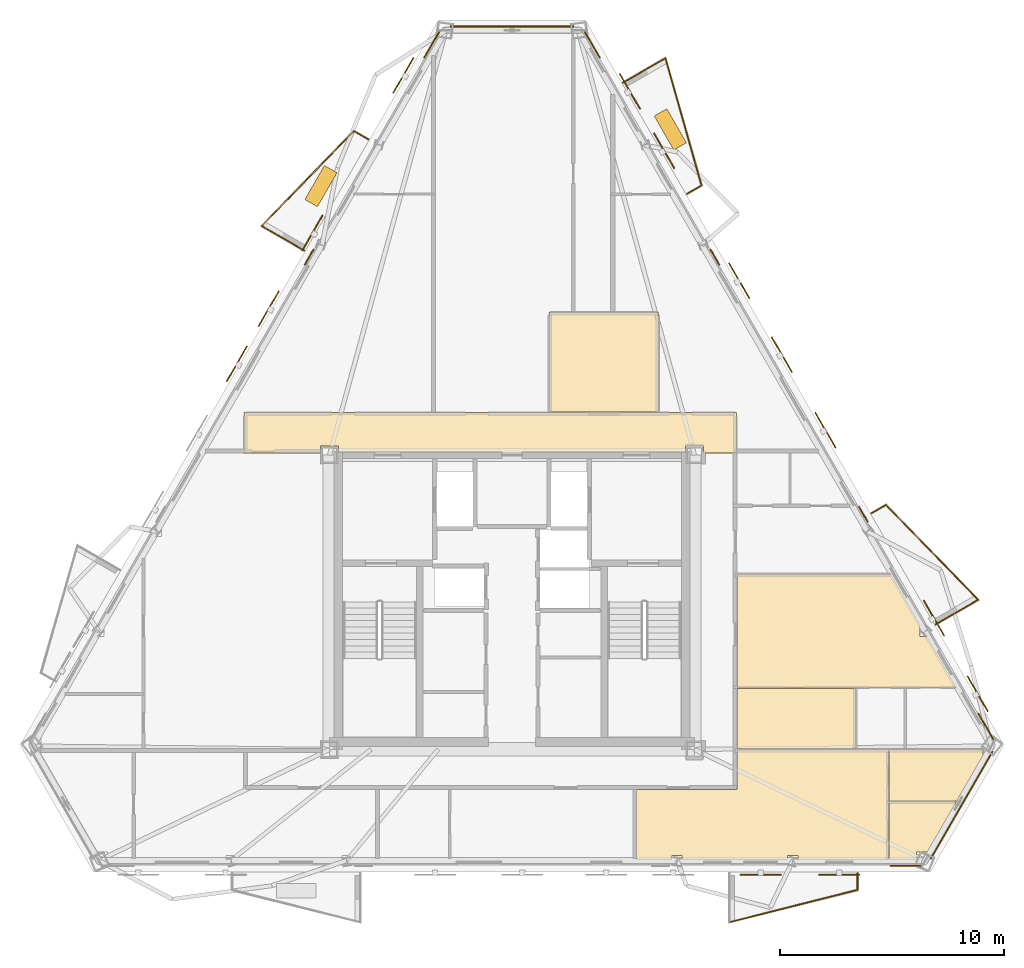
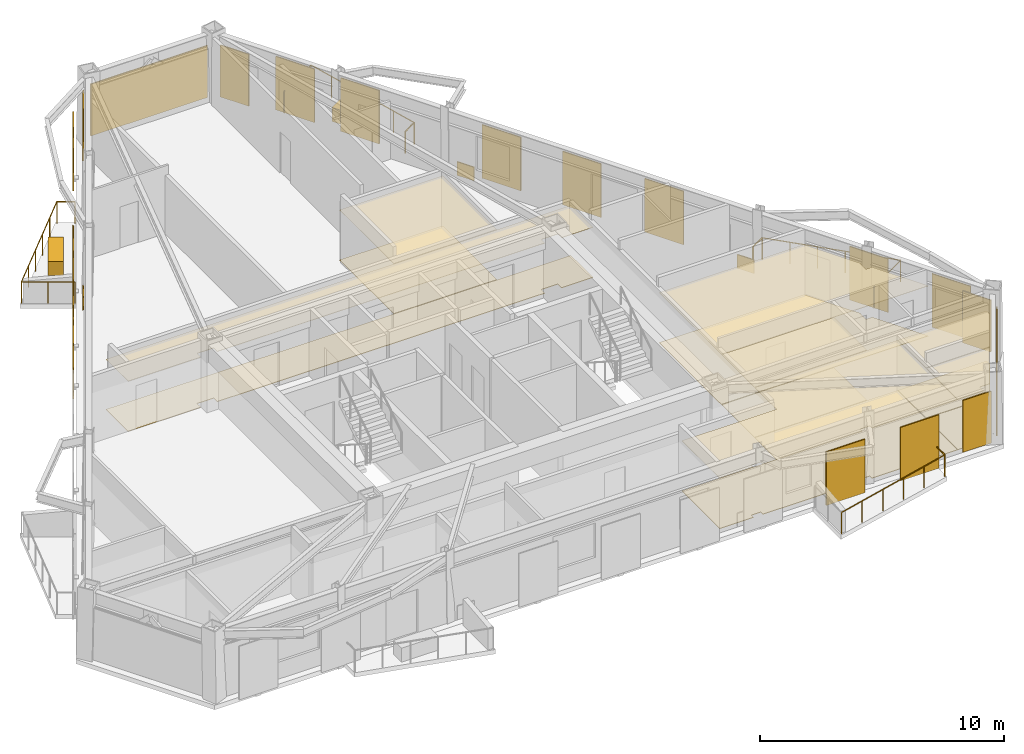
# One storey, part 9 of 9: 25 coverings, 13 shading devices, 11 railings.
"""IFC4 building model written with IfcOpenShell, lengths in metres."""

from ifc_helpers import new_model, si_unit, direction, frame, origin, origin_2d, place, context, subcontext, project, spatial, polyline, rectangle, circle, outline, extrude, material, layer, layer_set, type_object, element, save


model = new_model("IFC4")

# Units and contexts
model_context = context("Model", 3, precision=1e-05, world=origin(), true_north=direction((0.0, 1.0)))
body_context = subcontext(model_context, "Body", "Model", "MODEL_VIEW")
ifc_project = project(units=[si_unit("LENGTHUNIT", "METRE"), si_unit("AREAUNIT", "SQUARE_METRE"), si_unit("VOLUMEUNIT", "CUBIC_METRE"), si_unit("PLANEANGLEUNIT", "RADIAN"), si_unit("MASSUNIT", "GRAM", prefix="KILO")], contexts=[model_context])

# Site, building, storey
site_placement = place(None, origin())
site = spatial("IfcSite", under=ifc_project, at=site_placement, CompositionType="ELEMENT")
building_placement = place(site_placement, origin())
building = spatial("IfcBuilding", under=site, at=building_placement, Name="Oramaril Tower", CompositionType="ELEMENT")
storey_placement = place(building_placement, frame((0.0, 0.0, 234.300048828125)))
storey = spatial("IfcBuildingStorey", under=building, at=storey_placement, Name="L62", CompositionType="ELEMENT", Elevation=234.300048828125)

# Coverings
ifc_material_1 = material(Name="Mineral Fibre Acoustic Ceiling")
ifc_layer_1 = layer(ifc_material_1, 0.02001953125)
ifc_layer_set_1 = layer_set([ifc_layer_1], Name="CVT-CEIL")
covering_type_1 = type_object("IfcCoveringType", Name="CVT-CEIL", PredefinedType="CEILING", material=ifc_layer_set_1)
covering_1_placement = place(storey_placement, frame((0.0, 0.0, 2.511962890625)))
element("IfcCovering", 1, at=covering_1_placement, inside=storey, type_object=covering_type_1, Name="L62 Acoustic Suspended Ceiling 2", PredefinedType="CEILING", context=body_context, shape_type="SweptSolid", body=[
    extrude(outline(polyline([(47.530029296875, 24.239990234375), (46.044921875, 24.239990234375), (46.044921875, 24.544921875), (45.2548828125, 24.544921875), (45.2548828125, 24.25), (29.7451171875, 24.25), (29.7451171875, 24.544921875), (28.955078125, 24.544921875), (28.955078125, 24.239990234375), (25.52001953125, 24.239990234375), (25.52001953125, 26.050048828125), (47.530029296875, 26.050048828125), (47.530029296875, 24.239990234375)])), origin(), (0.0, 0.0, 1.0), 0.02001953125),
])
covering_2_placement = place(storey_placement, frame((0.0, 0.0, 2.511962890625)))
element("IfcCovering", 2, at=covering_2_placement, inside=storey, type_object=covering_type_1, Name="L62 Acoustic Suspended Ceiling 4", PredefinedType="CEILING", context=body_context, shape_type="SweptSolid", body=[
    extrude(outline(polyline([(44.0419921875, 30.511962890625), (44.0419921875, 26.070068359375), (39.157958984375, 26.070068359375), (39.157958984375, 30.511962890625), (44.0419921875, 30.511962890625)])), origin(), (0.0, 0.0, 1.0), 0.02001953125),
])
covering_3_placement = place(storey_placement, frame((0.0, 0.0, 2.511962890625)))
element("IfcCovering", 3, at=covering_3_placement, inside=storey, type_object=covering_type_1, Name="L62 Acoustic Suspended Ceiling 9", PredefinedType="CEILING", context=body_context, shape_type="SweptSolid", body=[
    extrude(outline(polyline([(54.31298828125, 10.991943359375), (54.31298828125, 6.08642578125), (50.265380859375, 6.08642578125), (50.265380859375, 6.26171875), (49.808837890625, 6.26171875), (49.808837890625, 6.08642578125), (45.099609375, 6.08642578125), (45.099609375, 6.26171875), (44.650146484375, 6.26171875), (44.650146484375, 6.08642578125), (43.06201171875, 6.08642578125), (43.06201171875, 9.199951171875), (47.530029296875, 9.199951171875), (47.531982421875, 9.2001953125), (47.533935546875, 9.200439453125), (47.535888671875, 9.200927734375), (47.53759765625, 9.201416015625), (47.539306640625, 9.202392578125), (47.541015625, 9.203369140625), (47.542724609375, 9.20458984375), (47.544189453125, 9.205810546875), (47.54541015625, 9.207275390625), (47.546630859375, 9.208984375), (47.547607421875, 9.210693359375), (47.548583984375, 9.21240234375), (47.549072265625, 9.214111328125), (47.549560546875, 9.216064453125), (47.5498046875, 9.218017578125), (47.550048828125, 9.219970703125), (47.550048828125, 10.991943359375), (54.31298828125, 10.991943359375)])), origin(), (0.0, 0.0, 1.0), 0.02001953125),
])
covering_4_placement = place(storey_placement, frame((0.0, 0.0, 2.511962890625)))
element("IfcCovering", 4, at=covering_4_placement, inside=storey, type_object=covering_type_1, Name="L62 Acoustic Suspended Ceiling 10", PredefinedType="CEILING", context=body_context, shape_type="SweptSolid", body=[
    extrude(outline(polyline([(56.0498046875, 6.412109375), (55.553955078125, 6.412109375), (55.553955078125, 6.08642578125), (54.3330078125, 6.08642578125), (54.3330078125, 8.6787109375), (57.3583984375, 8.6787109375), (56.0498046875, 6.412109375)])), origin(), (0.0, 0.0, 1.0), 0.02001953125),
])
covering_5_placement = place(storey_placement, frame((0.0, 0.0, 2.511962890625)))
element("IfcCovering", 5, at=covering_5_placement, inside=storey, type_object=covering_type_1, Name="L62 Acoustic Suspended Ceiling 11", PredefinedType="CEILING", context=body_context, shape_type="SweptSolid", body=[
    extrude(outline(polyline([(58.529296875, 10.78076171875), (58.57177734375, 10.78076171875), (57.368408203125, 8.696044921875), (57.367919921875, 8.6962890625), (57.365966796875, 8.697265625), (57.3642578125, 8.697998046875), (57.3623046875, 8.698486328125), (57.3603515625, 8.69873046875), (57.3583984375, 8.69873046875), (54.3330078125, 8.69873046875), (54.3330078125, 10.991943359375), (58.529296875, 10.991943359375), (58.529296875, 10.78076171875)])), origin(), (0.0, 0.0, 1.0), 0.02001953125),
])
covering_6_placement = place(storey_placement, frame((0.0, 0.0, 2.511962890625)))
element("IfcCovering", 6, at=covering_6_placement, inside=storey, type_object=covering_type_1, Name="L62 Acoustic Suspended Ceiling 15", PredefinedType="CEILING", context=body_context, shape_type="SweptSolid", body=[
    extrude(outline(polyline([(55.7421875, 16.530517578125), (55.727783203125, 16.530517578125), (55.727783203125, 16.044189453125), (56.02294921875, 16.044189453125), (57.35693359375, 13.73388671875), (47.550048828125, 13.73388671875), (47.550048828125, 18.842041015625), (54.40771484375, 18.842041015625), (55.7421875, 16.530517578125)])), origin(), (0.0, 0.0, 1.0), 0.02001953125),
])
covering_7_placement = place(storey_placement, frame((0.0, 0.0, 2.511962890625)))
element("IfcCovering", 7, at=covering_7_placement, inside=storey, type_object=covering_type_1, Name="L62 Acoustic Suspended Ceiling 16", PredefinedType="CEILING", context=body_context, shape_type="SweptSolid", body=[
    extrude(outline(polyline([(52.866455078125, 11.011962890625), (47.550048828125, 11.011962890625), (47.550048828125, 11.030029296875), (47.5498046875, 11.031982421875), (47.549560546875, 11.033935546875), (47.549072265625, 11.035888671875), (47.548583984375, 11.03759765625), (47.547607421875, 11.039306640625), (47.54736328125, 11.0400390625), (47.547607421875, 11.04052734375), (47.548583984375, 11.042236328125), (47.549072265625, 11.044189453125), (47.549560546875, 11.046142578125), (47.5498046875, 11.048095703125), (47.550048828125, 11.050048828125), (47.550048828125, 13.714111328125), (52.866455078125, 13.714111328125), (52.866455078125, 11.011962890625)])), origin(), (0.0, 0.0, 1.0), 0.02001953125),
])
ifc_material_2 = material(Name="Warm Cream Limestone", Category="masonry")
ifc_layer_2 = layer(ifc_material_2, 0.050048828125)
ifc_layer_set_2 = layer_set([ifc_layer_2], Name="CVT-CLD")
covering_type_2 = type_object("IfcCoveringType", Name="CVT-CLD", PredefinedType="CLADDING", material=ifc_layer_set_2)
covering_8_placement = place(storey_placement, frame((55.073974609375, 5.810302734375, 0.0400390625), z_axis=(0.0, 0.0, 1.0), x_axis=(1.0, 0.0, 0.0)))
element("IfcCovering", 8, at=covering_8_placement, inside=storey, type_object=covering_type_2, Name="L62 Warm Cream Limestone Cladding", PredefinedType="CLADDING", context=body_context, shape_type="SweptSolid", body=[
    extrude(rectangle(XDim=1.35009765625, YDim=0.050048828125, at=origin_2d()), origin(), (0.0, 0.0, 1.0), 2.596923828125),
])
covering_9_placement = place(storey_placement, frame((57.578125, 8.5078125, 0.0400390625), z_axis=(0.0, 0.0, 1.0), x_axis=(0.5, 0.866025403784, 0.0)))
element("IfcCovering", 9, at=covering_9_placement, inside=storey, type_object=covering_type_2, Name="L62 Warm Cream Limestone Cladding", PredefinedType="CLADDING", context=body_context, shape_type="SweptSolid", body=[
    extrude(rectangle(XDim=5.535400390625, YDim=0.050048828125, at=origin_2d()), origin(), (0.0, 0.0, 1.0), 2.596923828125),
])
for number, where, z_axis, x_axis, name in (
    (10, (58.662109375, 12.025390625, 0.0400390625), (0.0, 0.0, 1.0), (-0.4999984885, 0.866026276448, 0.0), "L62 Warm Cream Limestone Cladding"),
    (11, (41.088134765625, 42.46435546875, 0.0400390625), (0.0, 0.0, 1.0), (-0.4999984885, 0.866026276448, 0.0), "L62 Warm Cream Limestone Cladding"),
):
    element("IfcCovering", number, at=place(storey_placement, frame(where, z_axis=z_axis, x_axis=x_axis)), inside=storey, type_object=covering_type_2, Name=name, PredefinedType="CLADDING", context=body_context, shape_type="SweptSolid", body=[
        extrude(rectangle(XDim=1.35009765625, YDim=0.050048828125, at=origin_2d()), origin(), (0.0, 0.0, 1.0), 2.596923828125),
    ])
for number, where, z_axis, x_axis, name in (
    (12, (53.19140625, 21.500732421875, 0.0400390625), (0.0, 0.0, 1.0), (-0.4999984885, 0.866026276448, 0.0), "L62 Warm Cream Limestone Spandrel Cladding"),
    (13, (46.558837890625, 32.98876953125, 0.0400390625), (0.0, 0.0, 1.0), (-0.4999984885, 0.866026276448, 0.0), "L62 Warm Cream Limestone Spandrel Cladding"),
):
    element("IfcCovering", number, at=place(storey_placement, frame(where, z_axis=z_axis, x_axis=x_axis)), inside=storey, type_object=covering_type_2, Name=name, PredefinedType="CLADDING", context=body_context, shape_type="SweptSolid", body=[
        extrude(rectangle(XDim=0.800048828125, YDim=0.050048828125, at=origin_2d()), origin(), (0.0, 0.0, 1.0), 0.679931640625),
    ])
covering_10_placement = place(storey_placement, frame((37.5, 43.284423828125, 0.0400390625), z_axis=(0.0, 0.0, 1.0), x_axis=(-1.0, 0.0, 0.0)))
element("IfcCovering", 14, at=covering_10_placement, inside=storey, type_object=covering_type_2, Name="L62 Warm Cream Limestone Cladding", PredefinedType="CLADDING", context=body_context, shape_type="SweptSolid", body=[
    extrude(rectangle(XDim=5.535400390625, YDim=0.050048828125, at=origin_2d()), origin(), (0.0, 0.0, 1.0), 2.596923828125),
])
covering_11_placement = place(storey_placement, frame((33.911865234375, 42.46435546875, 0.0400390625), z_axis=(0.0, 0.0, 1.0), x_axis=(-0.4999984885, -0.866026276448, 0.0)))
element("IfcCovering", 15, at=covering_11_placement, inside=storey, type_object=covering_type_2, Name="L62 Warm Cream Limestone Cladding", PredefinedType="CLADDING", context=body_context, shape_type="SweptSolid", body=[
    extrude(rectangle(XDim=1.35009765625, YDim=0.050048828125, at=origin_2d()), origin(), (0.0, 0.0, 1.0), 2.596923828125),
])
covering_12_placement = place(storey_placement, frame((28.441162109375, 32.98876953125, 0.0400390625), z_axis=(0.0, 0.0, 1.0), x_axis=(-0.4999984885, -0.866026276448, 0.0)))
element("IfcCovering", 16, at=covering_12_placement, inside=storey, type_object=covering_type_2, Name="L62 Warm Cream Limestone Spandrel Cladding", PredefinedType="CLADDING", context=body_context, shape_type="SweptSolid", body=[
    extrude(rectangle(XDim=0.800048828125, YDim=0.050048828125, at=origin_2d()), origin(), (0.0, 0.0, 1.0), 0.679931640625),
])
for number, where, z_axis, x_axis, name in (
    (17, (44.5703125, 38.690185546875, 0.0), (0.0, 0.0, 1.0), (-0.5, 0.866025403784, 0.0), "L62 Structural Tree Planter Box L62-BAL-NE2"),
    (18, (28.96728515625, 36.156982421875, 0.0), (0.0, 0.0, 1.0), (-0.5, -0.866025403784, 0.0), "L62 Structural Tree Planter Box L62-BAL-NW1"),
):
    element("IfcCovering", number, at=place(storey_placement, frame(where, z_axis=z_axis, x_axis=x_axis)), inside=storey, type_object=covering_type_2, Name=name, PredefinedType="CLADDING", context=body_context, shape_type="SweptSolid", body=[
        extrude(rectangle(XDim=1.75, YDim=0.64990234375, at=origin_2d()), origin(), (0.0, 0.0, 1.0), 0.699951171875),
    ])
ifc_material_3 = material(Name="Honed Quartzite Stone Flooring", Category="masonry")
ifc_layer_3 = layer(ifc_material_3, 0.02490234375)
ifc_layer_set_3 = layer_set([ifc_layer_3], Name="CVT-FLR")
covering_type_3 = type_object("IfcCoveringType", Name="CVT-FLR", PredefinedType="FLOORING", material=ifc_layer_set_3)
covering_13_placement = place(storey_placement, origin())
element("IfcCovering", 19, at=covering_13_placement, inside=storey, type_object=covering_type_3, Name="L62 Honed Stone Floor Finish 2", PredefinedType="FLOORING", context=body_context, shape_type="SweptSolid", body=[
    extrude(outline(polyline([(47.530029296875, 24.239990234375), (46.044921875, 24.239990234375), (46.044921875, 24.544921875), (45.2548828125, 24.544921875), (45.2548828125, 24.25), (29.7451171875, 24.25), (29.7451171875, 24.544921875), (28.955078125, 24.544921875), (28.955078125, 24.239990234375), (25.52001953125, 24.239990234375), (25.52001953125, 26.050048828125), (47.530029296875, 26.050048828125), (47.530029296875, 24.239990234375)])), origin(), (0.0, 0.0, 1.0), 0.02490234375),
])
covering_14_placement = place(storey_placement, origin())
element("IfcCovering", 20, at=covering_14_placement, inside=storey, type_object=covering_type_3, Name="L62 Honed Stone Floor Finish 4", PredefinedType="FLOORING", context=body_context, shape_type="SweptSolid", body=[
    extrude(outline(polyline([(44.0419921875, 30.511962890625), (44.0419921875, 26.070068359375), (39.157958984375, 26.070068359375), (39.157958984375, 30.511962890625), (44.0419921875, 30.511962890625)])), origin(), (0.0, 0.0, 1.0), 0.02490234375),
])
covering_15_placement = place(storey_placement, origin())
element("IfcCovering", 21, at=covering_15_placement, inside=storey, type_object=covering_type_3, Name="L62 Honed Stone Floor Finish 9", PredefinedType="FLOORING", context=body_context, shape_type="SweptSolid", body=[
    extrude(outline(polyline([(54.31298828125, 10.991943359375), (54.31298828125, 6.08642578125), (50.265380859375, 6.08642578125), (50.265380859375, 6.26171875), (49.808837890625, 6.26171875), (49.808837890625, 6.08642578125), (45.099609375, 6.08642578125), (45.099609375, 6.26171875), (44.650146484375, 6.26171875), (44.650146484375, 6.08642578125), (43.06201171875, 6.08642578125), (43.06201171875, 9.199951171875), (47.530029296875, 9.199951171875), (47.531982421875, 9.2001953125), (47.533935546875, 9.200439453125), (47.535888671875, 9.200927734375), (47.53759765625, 9.201416015625), (47.539306640625, 9.202392578125), (47.541015625, 9.203369140625), (47.542724609375, 9.20458984375), (47.544189453125, 9.205810546875), (47.54541015625, 9.207275390625), (47.546630859375, 9.208984375), (47.547607421875, 9.210693359375), (47.548583984375, 9.21240234375), (47.549072265625, 9.214111328125), (47.549560546875, 9.216064453125), (47.5498046875, 9.218017578125), (47.550048828125, 9.219970703125), (47.550048828125, 10.991943359375), (54.31298828125, 10.991943359375)])), origin(), (0.0, 0.0, 1.0), 0.02490234375),
])
covering_16_placement = place(storey_placement, origin())
element("IfcCovering", 22, at=covering_16_placement, inside=storey, type_object=covering_type_3, Name="L62 Honed Stone Floor Finish 10", PredefinedType="FLOORING", context=body_context, shape_type="SweptSolid", body=[
    extrude(outline(polyline([(56.0498046875, 6.412109375), (55.553955078125, 6.412109375), (55.553955078125, 6.08642578125), (54.3330078125, 6.08642578125), (54.3330078125, 8.6787109375), (57.3583984375, 8.6787109375), (56.0498046875, 6.412109375)])), origin(), (0.0, 0.0, 1.0), 0.02490234375),
])
covering_17_placement = place(storey_placement, origin())
element("IfcCovering", 23, at=covering_17_placement, inside=storey, type_object=covering_type_3, Name="L62 Honed Stone Floor Finish 11", PredefinedType="FLOORING", context=body_context, shape_type="SweptSolid", body=[
    extrude(outline(polyline([(58.529296875, 10.78076171875), (58.57177734375, 10.78076171875), (57.368408203125, 8.696044921875), (57.367919921875, 8.6962890625), (57.365966796875, 8.697265625), (57.3642578125, 8.697998046875), (57.3623046875, 8.698486328125), (57.3603515625, 8.69873046875), (57.3583984375, 8.69873046875), (54.3330078125, 8.69873046875), (54.3330078125, 10.991943359375), (58.529296875, 10.991943359375), (58.529296875, 10.78076171875)])), origin(), (0.0, 0.0, 1.0), 0.02490234375),
])
covering_18_placement = place(storey_placement, origin())
element("IfcCovering", 24, at=covering_18_placement, inside=storey, type_object=covering_type_3, Name="L62 Honed Stone Floor Finish 15", PredefinedType="FLOORING", context=body_context, shape_type="SweptSolid", body=[
    extrude(outline(polyline([(55.7421875, 16.530517578125), (55.727783203125, 16.530517578125), (55.727783203125, 16.044189453125), (56.02294921875, 16.044189453125), (57.35693359375, 13.73388671875), (47.550048828125, 13.73388671875), (47.550048828125, 18.842041015625), (54.40771484375, 18.842041015625), (55.7421875, 16.530517578125)])), origin(), (0.0, 0.0, 1.0), 0.02490234375),
])
covering_19_placement = place(storey_placement, origin())
element("IfcCovering", 25, at=covering_19_placement, inside=storey, type_object=covering_type_3, Name="L62 Honed Stone Floor Finish 16", PredefinedType="FLOORING", context=body_context, shape_type="SweptSolid", body=[
    extrude(outline(polyline([(52.866455078125, 11.011962890625), (47.550048828125, 11.011962890625), (47.550048828125, 11.030029296875), (47.5498046875, 11.031982421875), (47.549560546875, 11.033935546875), (47.549072265625, 11.035888671875), (47.548583984375, 11.03759765625), (47.547607421875, 11.039306640625), (47.54736328125, 11.0400390625), (47.547607421875, 11.04052734375), (47.548583984375, 11.042236328125), (47.549072265625, 11.044189453125), (47.549560546875, 11.046142578125), (47.5498046875, 11.048095703125), (47.550048828125, 11.050048828125), (47.550048828125, 13.714111328125), (52.866455078125, 13.714111328125), (52.866455078125, 11.011962890625)])), origin(), (0.0, 0.0, 1.0), 0.02490234375),
])

# Railings
ifc_material_4 = material(Name="Stainless Steel 316L", Category="steel")
railing_type = type_object("IfcRailingType", Name="RLT-GRD", PredefinedType="GUARDRAIL", material=ifc_material_4)
railing_1_placement = place(storey_placement, frame((52.929443359375, 5.470458984375, 0.0)))
element("IfcRailing", 26, at=railing_1_placement, inside=storey, type_object=railing_type, Name="L62 Balcony Guardrail L62-BAL-S2.1", PredefinedType="GUARDRAIL", context=body_context, shape_type="SweptSolid", body=[
    extrude(circle(Radius=0.02392578125, at=origin_2d()), frame((0.0, 0.0, 1.076171875), z_axis=(0.0, -1.0, 0.0), x_axis=(1.0, 0.0, 0.0)), (0.0, 0.0, 1.0), 0.741943359375),
    extrude(circle(Radius=0.02099609375, at=origin_2d()), origin(), (0.0, 0.0, 1.0), 1.052001953125),
    extrude(circle(Radius=0.02099609375, at=origin_2d()), frame((0.0, -0.741943359375, 0.0)), (0.0, 0.0, 1.0), 1.052001953125),
])
railing_2_placement = place(storey_placement, frame((52.929443359375, 4.728515625, 0.0)))
element("IfcRailing", 27, at=railing_2_placement, inside=storey, type_object=railing_type, Name="L62 Balcony Guardrail L62-BAL-S2.2", PredefinedType="GUARDRAIL", context=body_context, shape_type="SweptSolid", body=[
    extrude(circle(Radius=0.02392578125, at=origin_2d()), frame((0.0, 0.0, 1.076171875), z_axis=(-0.969433787338, -0.245353076131, 0.0), x_axis=(0.245353076131, -0.969433787338, 0.0)), (0.0, 0.0, 1.0), 5.91064453125),
    extrude(circle(Radius=0.02099609375, at=origin_2d()), origin(), (0.0, 0.0, 1.0), 1.052001953125),
    extrude(circle(Radius=0.02099609375, at=origin_2d()), frame((-1.14599609375, -0.2900390625, 0.0)), (0.0, 0.0, 1.0), 1.052001953125),
    extrude(circle(Radius=0.02099609375, at=origin_2d()), frame((-2.2919921875, -0.580078125, 0.0)), (0.0, 0.0, 1.0), 1.052001953125),
    extrude(circle(Radius=0.02099609375, at=origin_2d()), frame((-3.43798828125, -0.8701171875, 0.0)), (0.0, 0.0, 1.0), 1.052001953125),
    extrude(circle(Radius=0.02099609375, at=origin_2d()), frame((-4.583984375, -1.16015625, 0.0)), (0.0, 0.0, 1.0), 1.052001953125),
    extrude(circle(Radius=0.02099609375, at=origin_2d()), frame((-5.72998046875, -1.4501953125, 0.0)), (0.0, 0.0, 1.0), 1.052001953125),
])
railing_3_placement = place(storey_placement, frame((53.556884765625, 21.5478515625, 0.0)))
element("IfcRailing", 28, at=railing_3_placement, inside=storey, type_object=railing_type, Name="L62 Balcony Guardrail L62-BAL-NE1.1", PredefinedType="GUARDRAIL", context=body_context, shape_type="SweptSolid", body=[
    extrude(circle(Radius=0.02392578125, at=origin_2d()), frame((0.0, 0.0, 1.076171875), z_axis=(0.865966403178, 0.500102178127, 0.0), x_axis=(-0.500102178127, 0.865966403178, 0.0)), (0.0, 0.0, 1.0), 0.741943359375),
    extrude(circle(Radius=0.02099609375, at=origin_2d()), origin(), (0.0, 0.0, 1.0), 1.052001953125),
    extrude(circle(Radius=0.02099609375, at=origin_2d()), frame((0.642578125, 0.37109375, 0.0)), (0.0, 0.0, 1.0), 1.052001953125),
])
railing_4_placement = place(storey_placement, frame((54.199462890625, 21.9189453125, 0.0)))
element("IfcRailing", 29, at=railing_4_placement, inside=storey, type_object=railing_type, Name="L62 Balcony Guardrail L62-BAL-NE1.2", PredefinedType="GUARDRAIL", context=body_context, shape_type="SweptSolid", body=[
    extrude(circle(Radius=0.02392578125, at=origin_2d()), frame((0.0, 0.0, 1.076171875), z_axis=(0.697186915353, -0.716889395277, 0.0), x_axis=(0.716889395277, 0.697186915353, 0.0)), (0.0, 0.0, 1.0), 5.91064453125),
    extrude(circle(Radius=0.02099609375, at=origin_2d()), origin(), (0.0, 0.0, 1.0), 1.052001953125),
    extrude(circle(Radius=0.02099609375, at=origin_2d()), frame((0.82421875, -0.847412109375, 0.0)), (0.0, 0.0, 1.0), 1.052001953125),
    extrude(circle(Radius=0.02099609375, at=origin_2d()), frame((1.6484375, -1.69482421875, 0.0)), (0.0, 0.0, 1.0), 1.052001953125),
    extrude(circle(Radius=0.02099609375, at=origin_2d()), frame((2.472412109375, -2.54248046875, 0.0)), (0.0, 0.0, 1.0), 1.052001953125),
    extrude(circle(Radius=0.02099609375, at=origin_2d()), frame((3.296630859375, -3.389892578125, 0.0)), (0.0, 0.0, 1.0), 1.052001953125),
    extrude(circle(Radius=0.02099609375, at=origin_2d()), frame((4.120849609375, -4.2373046875, 0.0)), (0.0, 0.0, 1.0), 1.052001953125),
])
railing_5_placement = place(storey_placement, frame((58.3203125, 17.681640625, 0.0)))
element("IfcRailing", 30, at=railing_5_placement, inside=storey, type_object=railing_type, Name="L62 Balcony Guardrail L62-BAL-NE1.3", PredefinedType="GUARDRAIL", context=body_context, shape_type="SweptSolid", body=[
    extrude(circle(Radius=0.02392578125, at=origin_2d()), frame((0.0, 0.0, 1.076171875), z_axis=(-0.866048343933, -0.499960264392, 0.0), x_axis=(0.499960264392, -0.866048343933, 0.0)), (0.0, 0.0, 1.0), 2.192138671875),
    extrude(circle(Radius=0.02099609375, at=origin_2d()), origin(), (0.0, 0.0, 1.0), 1.052001953125),
    extrude(circle(Radius=0.02099609375, at=origin_2d()), frame((-0.94921875, -0.5478515625, 0.0)), (0.0, 0.0, 1.0), 1.052001953125),
    extrude(circle(Radius=0.02099609375, at=origin_2d()), frame((-1.8984375, -1.095947265625, 0.0)), (0.0, 0.0, 1.0), 1.052001953125),
])
railing_6_placement = place(storey_placement, frame((42.454833984375, 40.777099609375, 0.0)))
element("IfcRailing", 31, at=railing_6_placement, inside=storey, type_object=railing_type, Name="L62 Balcony Guardrail L62-BAL-NE2.1", PredefinedType="GUARDRAIL", context=body_context, shape_type="SweptSolid", body=[
    extrude(circle(Radius=0.02392578125, at=origin_2d()), frame((0.0, 0.0, 1.076171875), z_axis=(0.866048343933, 0.499960264392, 0.0), x_axis=(-0.499960264392, 0.866048343933, 0.0)), (0.0, 0.0, 1.0), 2.192138671875),
    extrude(circle(Radius=0.02099609375, at=origin_2d()), origin(), (0.0, 0.0, 1.0), 1.052001953125),
    extrude(circle(Radius=0.02099609375, at=origin_2d()), frame((0.94921875, 0.5478515625, 0.0)), (0.0, 0.0, 1.0), 1.052001953125),
    extrude(circle(Radius=0.02099609375, at=origin_2d()), frame((1.8984375, 1.095947265625, 0.0)), (0.0, 0.0, 1.0), 1.052001953125),
])
railing_7_placement = place(storey_placement, frame((44.353271484375, 41.873046875, 0.0)))
element("IfcRailing", 32, at=railing_7_placement, inside=storey, type_object=railing_type, Name="L62 Balcony Guardrail L62-BAL-NE2.2", PredefinedType="GUARDRAIL", context=body_context, shape_type="SweptSolid", body=[
    extrude(circle(Radius=0.02392578125, at=origin_2d()), frame((0.0, 0.0, 1.076171875), z_axis=(0.27224886544, -0.962226873074, 0.0), x_axis=(0.962226873074, 0.27224886544, 0.0)), (0.0, 0.0, 1.0), 5.910400390625),
    extrude(circle(Radius=0.02099609375, at=origin_2d()), origin(), (0.0, 0.0, 1.0), 1.052001953125),
    extrude(circle(Radius=0.02099609375, at=origin_2d()), frame((0.32177734375, -1.137451171875, 0.0)), (0.0, 0.0, 1.0), 1.052001953125),
    extrude(circle(Radius=0.02099609375, at=origin_2d()), frame((0.6435546875, -2.27490234375, 0.0)), (0.0, 0.0, 1.0), 1.052001953125),
    extrude(circle(Radius=0.02099609375, at=origin_2d()), frame((0.965576171875, -3.412353515625, 0.0)), (0.0, 0.0, 1.0), 1.052001953125),
    extrude(circle(Radius=0.02099609375, at=origin_2d()), frame((1.287353515625, -4.5498046875, 0.0)), (0.0, 0.0, 1.0), 1.052001953125),
    extrude(circle(Radius=0.02099609375, at=origin_2d()), frame((1.609130859375, -5.687255859375, 0.0)), (0.0, 0.0, 1.0), 1.052001953125),
])
railing_8_placement = place(storey_placement, frame((45.96240234375, 36.185791015625, 0.0)))
element("IfcRailing", 33, at=railing_8_placement, inside=storey, type_object=railing_type, Name="L62 Balcony Guardrail L62-BAL-NE2.3", PredefinedType="GUARDRAIL", context=body_context, shape_type="SweptSolid", body=[
    extrude(circle(Radius=0.02392578125, at=origin_2d()), frame((0.0, 0.0, 1.076171875), z_axis=(-0.866108878364, -0.499855389907, 0.0), x_axis=(0.499855389907, -0.866108878364, 0.0)), (0.0, 0.0, 1.0), 0.741943359375),
    extrude(circle(Radius=0.02099609375, at=origin_2d()), origin(), (0.0, 0.0, 1.0), 1.052001953125),
    extrude(circle(Radius=0.02099609375, at=origin_2d()), frame((-0.642578125, -0.370849609375, 0.0)), (0.0, 0.0, 1.0), 1.052001953125),
])
railing_9_placement = place(storey_placement, frame((28.217529296875, 33.28173828125, 0.0)))
element("IfcRailing", 34, at=railing_9_placement, inside=storey, type_object=railing_type, Name="L62 Balcony Guardrail L62-BAL-NW1.1", PredefinedType="GUARDRAIL", context=body_context, shape_type="SweptSolid", body=[
    extrude(circle(Radius=0.02392578125, at=origin_2d()), frame((0.0, 0.0, 1.076171875), z_axis=(-0.866020500697, 0.5000084923, 0.0), x_axis=(-0.5000084923, -0.866020500697, 0.0)), (0.0, 0.0, 1.0), 2.19189453125),
    extrude(circle(Radius=0.02099609375, at=origin_2d()), origin(), (0.0, 0.0, 1.0), 1.052001953125),
    extrude(circle(Radius=0.02099609375, at=origin_2d()), frame((-0.94921875, 0.5478515625, 0.0)), (0.0, 0.0, 1.0), 1.052001953125),
    extrude(circle(Radius=0.02099609375, at=origin_2d()), frame((-1.898193359375, 1.095947265625, 0.0)), (0.0, 0.0, 1.0), 1.052001953125),
])
railing_10_placement = place(storey_placement, frame((26.3193359375, 34.377685546875, 0.0)))
element("IfcRailing", 35, at=railing_10_placement, inside=storey, type_object=railing_type, Name="L62 Balcony Guardrail L62-BAL-NW1.2", PredefinedType="GUARDRAIL", context=body_context, shape_type="SweptSolid", body=[
    extrude(circle(Radius=0.02392578125, at=origin_2d()), frame((0.0, 0.0, 1.076171875), z_axis=(0.697186915353, 0.716889395277, 0.0), x_axis=(-0.716889395277, 0.697186915353, 0.0)), (0.0, 0.0, 1.0), 5.91064453125),
    extrude(circle(Radius=0.02099609375, at=origin_2d()), origin(), (0.0, 0.0, 1.0), 1.052001953125),
    extrude(circle(Radius=0.02099609375, at=origin_2d()), frame((0.82421875, 0.847412109375, 0.0)), (0.0, 0.0, 1.0), 1.052001953125),
    extrude(circle(Radius=0.02099609375, at=origin_2d()), frame((1.6484375, 1.69482421875, 0.0)), (0.0, 0.0, 1.0), 1.052001953125),
    extrude(circle(Radius=0.02099609375, at=origin_2d()), frame((2.472412109375, 2.54248046875, 0.0)), (0.0, 0.0, 1.0), 1.052001953125),
    extrude(circle(Radius=0.02099609375, at=origin_2d()), frame((3.296630859375, 3.389892578125, 0.0)), (0.0, 0.0, 1.0), 1.052001953125),
    extrude(circle(Radius=0.02099609375, at=origin_2d()), frame((4.120849609375, 4.2373046875, 0.0)), (0.0, 0.0, 1.0), 1.052001953125),
])
railing_11_placement = place(storey_placement, frame((30.440185546875, 38.614990234375, 0.0)))
element("IfcRailing", 36, at=railing_11_placement, inside=storey, type_object=railing_type, Name="L62 Balcony Guardrail L62-BAL-NW1.3", PredefinedType="GUARDRAIL", context=body_context, shape_type="SweptSolid", body=[
    extrude(circle(Radius=0.02392578125, at=origin_2d()), frame((0.0, 0.0, 1.076171875), z_axis=(0.865884080729, -0.500244698863, 0.0), x_axis=(0.500244698863, 0.865884080729, 0.0)), (0.0, 0.0, 1.0), 0.741943359375),
    extrude(circle(Radius=0.02099609375, at=origin_2d()), origin(), (0.0, 0.0, 1.0), 1.052001953125),
    extrude(circle(Radius=0.02099609375, at=origin_2d()), frame((0.642333984375, -0.37109375, 0.0)), (0.0, 0.0, 1.0), 1.052001953125),
])

# Shading devices
for number, where, z_axis, x_axis, name in (
    (37, (48.6083984375, 5.3984375, -0.02001953125), (0.0, 0.0, 1.0), (1.0, 0.0, 0.0), "L62 Perforated Ceramic Solar Screen"),
    (38, (52.117431640625, 5.3984375, -0.02001953125), (0.0, 0.0, 1.0), (1.0, 0.0, 0.0), "L62 Perforated Ceramic Solar Screen"),
    (39, (58.29736328125, 13.481201171875, -0.02001953125), (0.0, 0.0, 1.0), (-0.4999984885, 0.866026276448, 0.0), "L62 Perforated Ceramic Solar Screen"),
    (40, (56.347412109375, 16.858642578125, -0.02001953125), (0.0, 0.0, 1.0), (-0.4999984885, 0.866026276448, 0.0), "L62 Perforated Ceramic Solar Screen"),
    (41, (42.76220703125, 40.388916015625, -0.02001953125), (0.0, 0.0, 1.0), (-0.4999984885, 0.866026276448, 0.0), "L62 Perforated Ceramic Solar Screen"),
    (42, (44.294921875, 37.734130859375, -0.02001953125), (0.0, 0.0, 1.0), (-0.4999984885, 0.866026276448, 0.0), "L62 Perforated Ceramic Solar Screen"),
    (43, (51.5, 25.25439453125, -0.02001953125), (0.0, 0.0, 1.0), (-0.4999984885, 0.866026276448, 0.0), "L62 Perforated Ceramic Solar Screen"),
    (44, (49.550048828125, 28.632080078125, -0.02001953125), (0.0, 0.0, 1.0), (-0.4999984885, 0.866026276448, 0.0), "L62 Perforated Ceramic Solar Screen"),
    (45, (47.646728515625, 31.928466796875, -0.02001953125), (0.0, 0.0, 1.0), (-0.4999984885, 0.866026276448, 0.0), "L62 Perforated Ceramic Solar Screen"),
    (46, (28.585205078125, 34.06201171875, -0.02001953125), (0.0, 0.0, 1.0), (-0.4999984885, -0.866026276448, 0.0), "L62 Perforated Ceramic Solar Screen"),
    (47, (26.635009765625, 30.6845703125, -0.02001953125), (0.0, 0.0, 1.0), (-0.4999984885, -0.866026276448, 0.0), "L62 Perforated Ceramic Solar Screen"),
    (48, (25.2099609375, 28.21630859375, -0.02001953125), (0.0, 0.0, 1.0), (-0.4999984885, -0.866026276448, 0.0), "L62 Perforated Ceramic Solar Screen"),
    (49, (32.650634765625, 41.10400390625, -0.02001953125), (0.0, 0.0, 1.0), (-0.4999984885, -0.866026276448, 0.0), "L62 Perforated Ceramic Solar Screen"),
):
    element("IfcShadingDevice", number, at=place(storey_placement, frame(where, z_axis=z_axis, x_axis=x_axis)), inside=storey, Name=name, ObjectType="SCREEN", PredefinedType="USERDEFINED", context=body_context, shape_type="SweptSolid", body=[
        extrude(rectangle(XDim=1.8330078125, YDim=0.050048828125, at=origin_2d()), origin(), (0.0, 0.0, 1.0), 2.677001953125),
    ])

save(model, "model.ifc")
